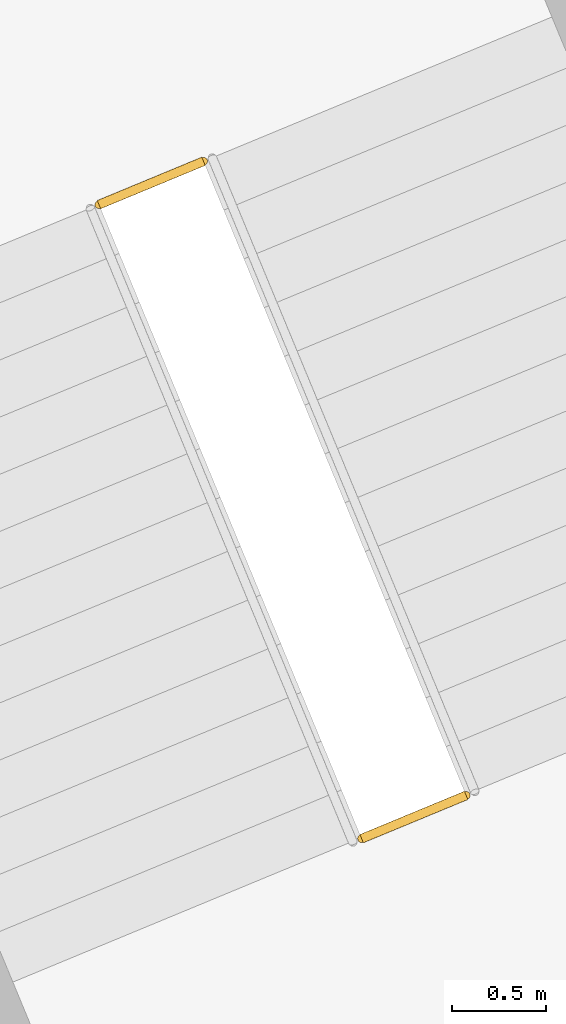
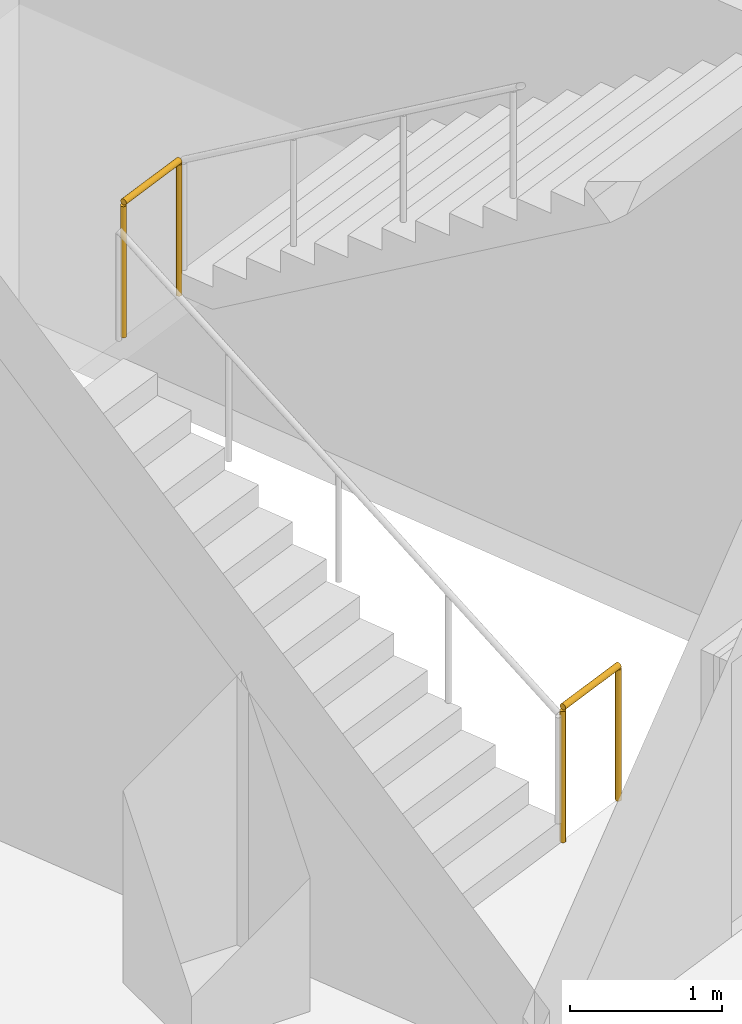
# One storey, part 16 of 17: 2 railings.
"""IFC4 building model written with IfcOpenShell, lengths in metres."""

from ifc_helpers import new_model, si_unit, direction, frame, origin, origin_2d, place, context, subcontext, project, spatial, circle, extrude, material, type_object, element, save


model = new_model("IFC4")

# Units and contexts
model_context = context("Model", 3, precision=1e-05, world=origin(), true_north=direction((0.0, 1.0)))
body_context = subcontext(model_context, "Body", "Model", "MODEL_VIEW")
ifc_project = project(units=[si_unit("LENGTHUNIT", "METRE"), si_unit("AREAUNIT", "SQUARE_METRE"), si_unit("VOLUMEUNIT", "CUBIC_METRE"), si_unit("PLANEANGLEUNIT", "RADIAN"), si_unit("MASSUNIT", "GRAM", prefix="KILO")], contexts=[model_context])

# Site, building, storey
site_placement = place(None, origin())
site = spatial("IfcSite", under=ifc_project, at=site_placement, CompositionType="ELEMENT")
building_placement = place(site_placement, origin())
building = spatial("IfcBuilding", under=site, at=building_placement, Name="Golbaran Civic Tower", CompositionType="ELEMENT")
storey_placement = place(building_placement, frame((0.0, 0.0, 6.0)))
storey = spatial("IfcBuildingStorey", under=building, at=storey_placement, Name="L01", CompositionType="ELEMENT", Elevation=6.0)

# Railings
ifc_material = material(Name="Steel balustrade", Category="steel")
railing_type = type_object("IfcRailingType", Name="STAIR GUARD 1100", PredefinedType="GUARDRAIL", material=ifc_material)
railing_1_placement = place(storey_placement, frame((28.064697265625, 8.810546875, 0.0)))
element("IfcRailing", 1, at=railing_1_placement, inside=storey, type_object=railing_type, Name="Stair P1 well guard floor landing L01", PredefinedType="GUARDRAIL", context=body_context, shape_type="SweptSolid", body=[
    extrude(circle(Radius=0.02392578125, at=origin_2d()), frame((0.0, 0.0, 1.076171875), z_axis=(0.923917630863, 0.382591441855, 0.0), x_axis=(-0.382591441855, 0.923917630863, 0.0)), (0.0, 0.0, 1.0), 0.599853515625),
    extrude(circle(Radius=0.02099609375, at=origin_2d()), origin(), (0.0, 0.0, 1.0), 1.052001953125),
    extrude(circle(Radius=0.02099609375, at=origin_2d()), frame((0.55419921875, 0.2294921875, 0.0)), (0.0, 0.0, 1.0), 1.052001953125),
])
railing_2_placement = place(storey_placement, frame((26.671630859375, 12.17333984375, 2.5)))
element("IfcRailing", 2, at=railing_2_placement, inside=storey, type_object=railing_type, Name="Stair P1 well guard half landing L01", PredefinedType="GUARDRAIL", context=body_context, shape_type="SweptSolid", body=[
    extrude(circle(Radius=0.02392578125, at=origin_2d()), frame((0.0, 0.0, 1.076171875), z_axis=(0.92383335829, 0.382794887781, 0.0), x_axis=(-0.382794887781, 0.92383335829, 0.0)), (0.0, 0.0, 1.0), 0.60009765625),
    extrude(circle(Radius=0.02099609375, at=origin_2d()), origin(), (0.0, 0.0, 1.0), 1.052001953125),
    extrude(circle(Radius=0.02099609375, at=origin_2d()), frame((0.554443359375, 0.229736328125, 0.0)), (0.0, 0.0, 1.0), 1.052001953125),
])

save(model, "model.ifc")
